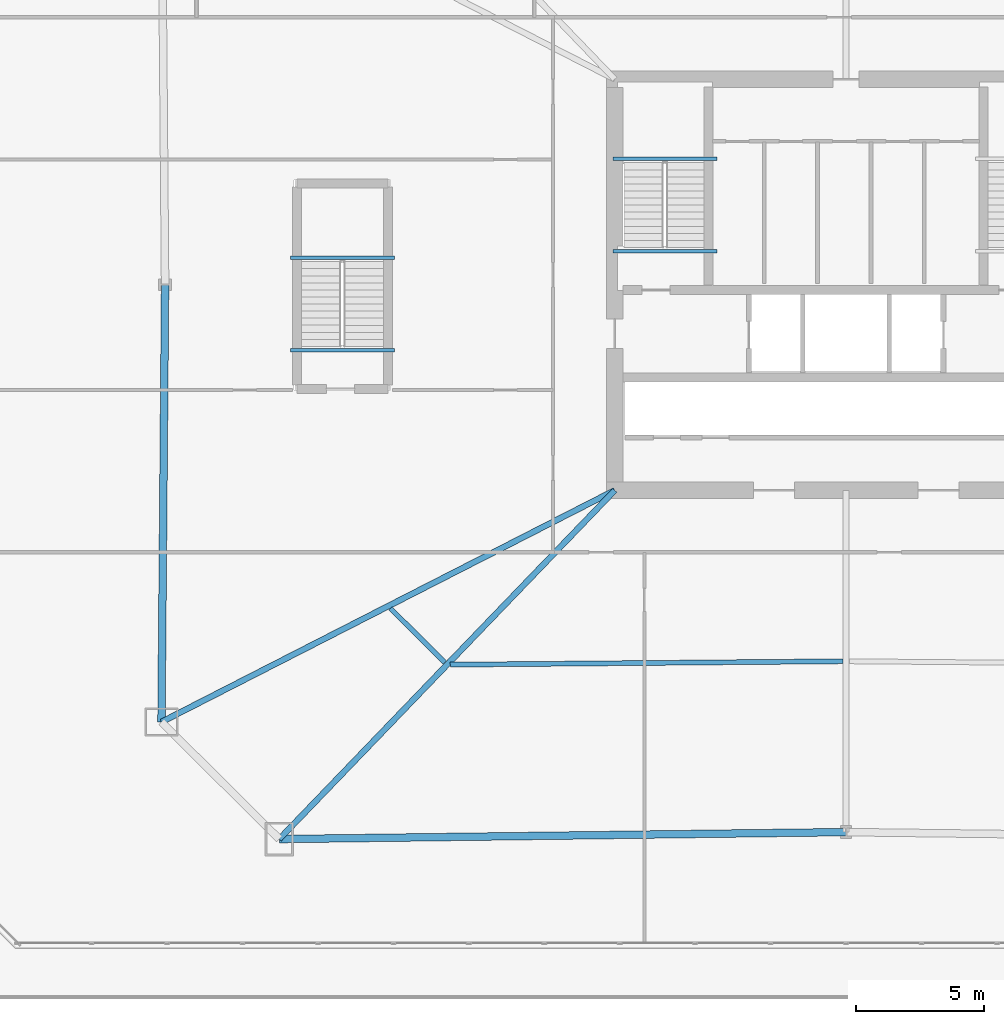
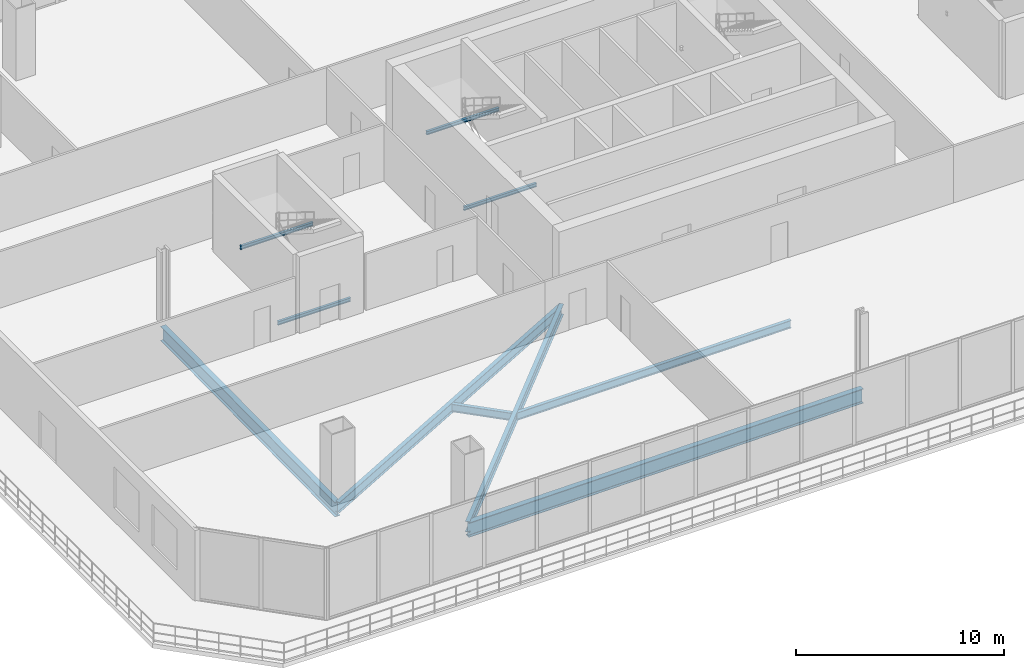
# One storey, part 5 of 31: 10 beams.
"""IFC4 building model written with IfcOpenShell, lengths in metres."""

from ifc_helpers import new_model, si_unit, direction, frame, origin, origin_2d, place, context, subcontext, project, spatial, i_section, extrude, material, material_profile, profile_set, type_object, element, save


model = new_model("IFC4")

# Units and contexts
model_context = context("Model", 3, precision=1e-05, world=origin(), true_north=direction((0.0, 1.0)))
body_context = subcontext(model_context, "Body", "Model", "MODEL_VIEW")
ifc_project = project(units=[si_unit("LENGTHUNIT", "METRE"), si_unit("AREAUNIT", "SQUARE_METRE"), si_unit("VOLUMEUNIT", "CUBIC_METRE"), si_unit("PLANEANGLEUNIT", "RADIAN"), si_unit("MASSUNIT", "GRAM", prefix="KILO")], contexts=[model_context])

# Site, building, storey
site_placement = place(None, origin())
site = spatial("IfcSite", under=ifc_project, at=site_placement, CompositionType="ELEMENT")
building_placement = place(site_placement, origin())
building = spatial("IfcBuilding", under=site, at=building_placement, Name="Caelvoria Tower", CompositionType="ELEMENT")
storey_placement = place(building_placement, frame((0.0, 0.0, 9.5)))
storey = spatial("IfcBuildingStorey", under=building, at=storey_placement, Name="L02", CompositionType="ELEMENT", Elevation=9.5)

# Beams
ifc_material = material(Name="Structural Steel ASTM A992 Gr.50", Category="steel")
ifc_material_profile_1 = material_profile(ifc_material, i_section(OverallWidth=0.134033203125, OverallDepth=0.2099609375, WebThickness=0.00634765625, FlangeThickness=0.01025390625, FilletRadius=0.010009765625, at=origin_2d()), Name="Structural Steel ASTM A992 Gr.50")
ifc_profile_set_1 = profile_set([ifc_material_profile_1], Name="W200X31.3 - Structural Steel ASTM A992 Gr.50")
beam_type_1 = type_object("IfcBeamType", Name="Canopy Edge Trim Beam W200X31.3", PredefinedType="BEAM", material=ifc_profile_set_1)
for number, where, z_axis, x_axis, name in (
    (1, (36.929931640625, 36.89990234375, 1.945068359375), (1.0, 0.0, 0.0), (0.0, 1.0, 0.0), "ST-01 Half-Landing Support Beam L02"),
    (2, (36.929931640625, 33.300048828125, -0.304931640625), (1.0, 0.0, 0.0), (0.0, 1.0, 0.0), "ST-01 Floor-Landing Support Beam L02"),
    (3, (24.3798828125, 33.050048828125, 1.945068359375), (1.0, 0.0, 0.0), (0.0, 1.0, 0.0), "ST-03 Half-Landing Support Beam L02"),
    (4, (24.3798828125, 29.449951171875, -0.304931640625), (1.0, 0.0, 0.0), (0.0, 1.0, 0.0), "ST-03 Floor-Landing Support Beam L02"),
):
    element("IfcBeam", number, at=place(storey_placement, frame(where, z_axis=z_axis, x_axis=x_axis)), inside=storey, type_object=beam_type_1, Name=name, PredefinedType="BEAM", context=body_context, shape_type="SweptSolid", body=[
        extrude(i_section(OverallWidth=0.134033203125, OverallDepth=0.2099609375, WebThickness=0.00634765625, FlangeThickness=0.01025390625, FilletRadius=0.010009765625, at=origin_2d()), origin(), (0.0, 0.0, 1.0), 4.0400390625),
    ])
ifc_material_profile_2 = material_profile(ifc_material, i_section(OverallWidth=0.2939453125, OverallDepth=0.85107421875, WebThickness=0.01611328125, FlangeThickness=0.02685546875, FilletRadius=0.02197265625, at=origin_2d()), Name="Structural Steel ASTM A992 Gr.50")
ifc_profile_set_2 = profile_set([ifc_material_profile_2], Name="W840X226 - Structural Steel ASTM A992 Gr.50")
beam_type_2 = type_object("IfcBeamType", Name="Podium Long-Span Girder W840X226", PredefinedType="BEAM", material=ifc_profile_set_2)
beam_1_placement = place(storey_placement, frame((23.943359375, 10.42919921875, -0.70556640625), z_axis=(0.999924666978, 0.01227437855, 0.0), x_axis=(-0.01227437855, 0.999924666978, 0.0)))
element("IfcBeam", 5, at=beam_1_placement, inside=storey, type_object=beam_type_2, Name="Perimeter Spandrel Girder L02-00", PredefinedType="BEAM", context=body_context, shape_type="SweptSolid", body=[
    extrude(i_section(OverallWidth=0.2939453125, OverallDepth=0.85107421875, WebThickness=0.01611328125, FlangeThickness=0.02685546875, FilletRadius=0.02197265625, at=origin_2d()), origin(), (0.0, 0.0, 1.0), 22.058349609375),
])
beam_2_placement = place(storey_placement, frame((19.5, 32.0, -0.70556640625), z_axis=(-0.00832156677, -0.999965375164, 0.0), x_axis=(0.999965375164, -0.00832156677, 0.0)))
element("IfcBeam", 6, at=beam_2_placement, inside=storey, type_object=beam_type_2, Name="Perimeter Spandrel Girder L02-10", PredefinedType="BEAM", context=body_context, shape_type="SweptSolid", body=[
    extrude(i_section(OverallWidth=0.2939453125, OverallDepth=0.85107421875, WebThickness=0.01611328125, FlangeThickness=0.02685546875, FilletRadius=0.02197265625, at=origin_2d()), origin(), (0.0, 0.0, 1.0), 17.01611328125),
])
ifc_material_profile_3 = material_profile(ifc_material, i_section(OverallWidth=0.22900390625, OverallDepth=0.612060546875, WebThickness=0.011962890625, FlangeThickness=0.01953125, FilletRadius=0.01806640625, at=origin_2d()), Name="Structural Steel ASTM A992 Gr.50")
ifc_profile_set_3 = profile_set([ifc_material_profile_3], Name="W610X125 - Structural Steel ASTM A992 Gr.50")
beam_type_3 = type_object("IfcBeamType", Name="Primary Radial Floor Girder W610X125", PredefinedType="BEAM", material=ifc_profile_set_3)
beam_3_placement = place(storey_placement, frame((37.0, 24.0, -0.5859375), z_axis=(-0.69332372519, -0.720626263807, 0.0), x_axis=(0.720626263807, -0.69332372519, 0.0)))
element("IfcBeam", 7, at=beam_3_placement, inside=storey, type_object=beam_type_3, Name="Primary Floor Girder L02-00", PredefinedType="BEAM", context=body_context, shape_type="SweptSolid", body=[
    extrude(i_section(OverallWidth=0.22900390625, OverallDepth=0.612060546875, WebThickness=0.011962890625, FlangeThickness=0.01953125, FilletRadius=0.01806640625, at=origin_2d()), origin(), (0.0, 0.0, 1.0), 18.83203125),
])
beam_4_placement = place(storey_placement, frame((37.0, 24.0, -0.5859375), z_axis=(-0.890459095292, -0.455063291876, 0.0), x_axis=(0.455063291876, -0.890459095292, 0.0)))
element("IfcBeam", 8, at=beam_4_placement, inside=storey, type_object=beam_type_3, Name="Primary Floor Girder L02-11", PredefinedType="BEAM", context=body_context, shape_type="SweptSolid", body=[
    extrude(i_section(OverallWidth=0.22900390625, OverallDepth=0.612060546875, WebThickness=0.011962890625, FlangeThickness=0.01953125, FilletRadius=0.01806640625, at=origin_2d()), origin(), (0.0, 0.0, 1.0), 19.811767578125),
])
ifc_material_profile_4 = material_profile(ifc_material, i_section(OverallWidth=0.18994140625, OverallDepth=0.45703125, WebThickness=0.009033203125, FlangeThickness=0.014404296875, FilletRadius=0.014892578125, at=origin_2d()), Name="Structural Steel ASTM A992 Gr.50")
ifc_profile_set_4 = profile_set([ifc_material_profile_4], Name="W460X74 - Structural Steel ASTM A992 Gr.50")
beam_type_4 = type_object("IfcBeamType", Name="Secondary Floor Beam W460X74", PredefinedType="BEAM", material=ifc_profile_set_4)
beam_5_placement = place(storey_placement, frame((30.5966796875, 17.2158203125, -0.508544921875), z_axis=(0.9999620801, 0.00870852243, 0.0), x_axis=(-0.00870852243, 0.9999620801, 0.0)))
element("IfcBeam", 9, at=beam_5_placement, inside=storey, type_object=beam_type_4, Name="Secondary Floor Beam L02-00", PredefinedType="BEAM", context=body_context, shape_type="SweptSolid", body=[
    extrude(i_section(OverallWidth=0.18994140625, OverallDepth=0.45703125, WebThickness=0.009033203125, FlangeThickness=0.014404296875, FilletRadius=0.014892578125, at=origin_2d()), origin(), (0.0, 0.0, 1.0), 15.27880859375),
])
beam_6_placement = place(storey_placement, frame((28.267822265625, 19.404052734375, -0.508544921875), z_axis=(0.709436603289, -0.704769257214, 0.0), x_axis=(0.704769257214, 0.709436603289, 0.0)))
element("IfcBeam", 10, at=beam_6_placement, inside=storey, type_object=beam_type_4, Name="Secondary Floor Beam L02-11", PredefinedType="BEAM", context=body_context, shape_type="SweptSolid", body=[
    extrude(i_section(OverallWidth=0.18994140625, OverallDepth=0.45703125, WebThickness=0.009033203125, FlangeThickness=0.014404296875, FilletRadius=0.014892578125, at=origin_2d()), origin(), (0.0, 0.0, 1.0), 2.981689453125),
])

save(model, "model.ifc")
